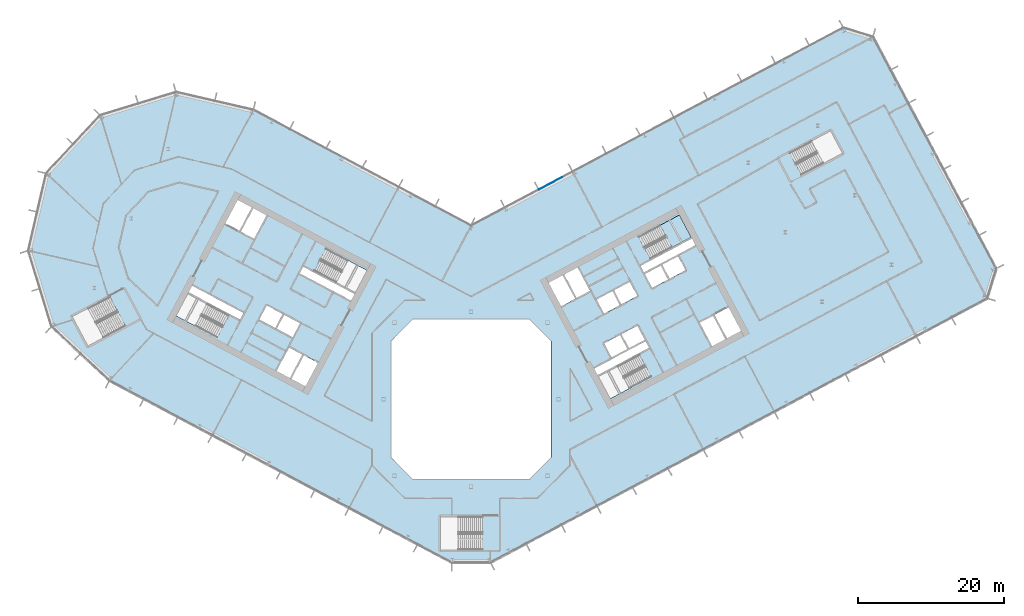
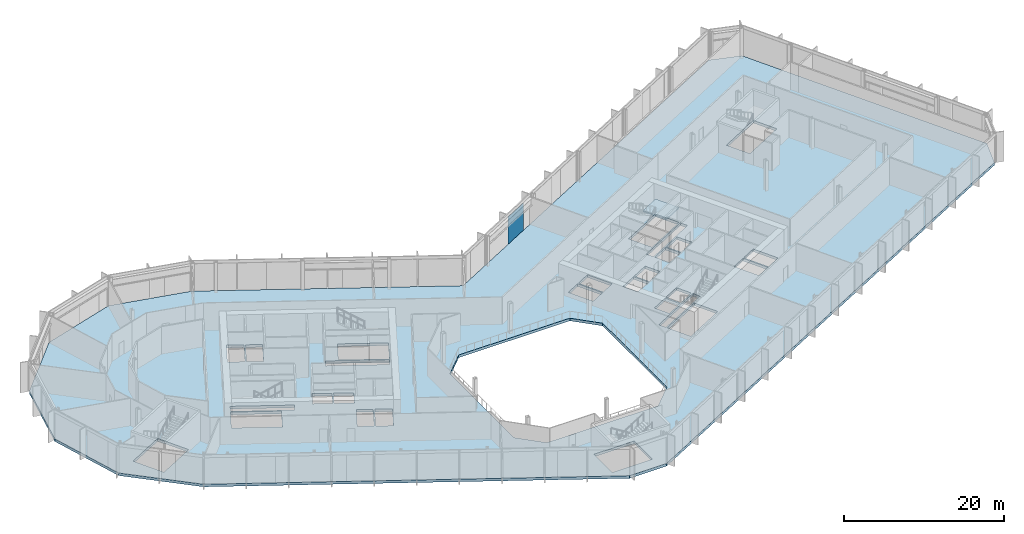
# One storey, part 12 of 30: 2 slabs, 1 plate, 2 elements without a shape of their own.
"""IFC4 building model written with IfcOpenShell, lengths in metres."""

from ifc_helpers import new_model, si_unit, direction, frame, origin, origin_2d, place, context, subcontext, project, spatial, polyline, rectangle, outline, extrude, material, layer, layer_set, type_object, element, aggregate, save


model = new_model("IFC4")

# Units and contexts
model_context = context("Model", 3, precision=1e-05, world=origin(), true_north=direction((0.0, 1.0)))
body_context = subcontext(model_context, "Body", "Model", "MODEL_VIEW")
ifc_project = project(units=[si_unit("LENGTHUNIT", "METRE"), si_unit("AREAUNIT", "SQUARE_METRE"), si_unit("VOLUMEUNIT", "CUBIC_METRE"), si_unit("PLANEANGLEUNIT", "RADIAN"), si_unit("MASSUNIT", "GRAM", prefix="KILO")], contexts=[model_context])

# Site, building, storey
site_placement = place(None, origin())
site = spatial("IfcSite", under=ifc_project, at=site_placement, CompositionType="ELEMENT")
building_placement = place(site_placement, origin())
building = spatial("IfcBuilding", under=site, at=building_placement, Name="Cormorant Relay Tower", CompositionType="ELEMENT")
storey_placement = place(building_placement, frame((0.0, 0.0, 84.60009765625)))
storey = spatial("IfcBuildingStorey", under=building, at=storey_placement, Name="L16", CompositionType="ELEMENT", Elevation=84.60009765625)

# Curtain wall, plate
ifc_material_1 = material(Name="Aluminium 6063-T6 anodised bronze", Category="aluminium")
ifc_layer_1 = layer(ifc_material_1, 0.199951171875)
ifc_layer_set_1 = layer_set([ifc_layer_1], Name="CW1 unitised bronze curtain wall with vertical fins")
curtain_wall_type = type_object("IfcCurtainWallType", Name="CW1 unitised bronze curtain wall with vertical fins", PredefinedType="NOTDEFINED", material=ifc_layer_set_1)
curtain_wall_placement = place(storey_placement, origin())
curtain_wall = element("IfcCurtainWall", 1, at=curtain_wall_placement, inside=storey, type_object=curtain_wall_type, Name="CW1 curtain wall 6", PredefinedType="NOTDEFINED")
ifc_material_2 = material(Name="Tinted laminated glass", Category="glass")
ifc_layer_2 = layer(ifc_material_2, 0.0400390625)
ifc_layer_set_2 = layer_set([ifc_layer_2], Name="CW1 tinted vision panel 3600 module")
plate_type = type_object("IfcPlateType", Name="CW1 tinted vision panel 3600 module", PredefinedType="CURTAIN_PANEL", material=ifc_layer_set_2)
plate_placement = place(storey_placement, frame((10.9306640625, 29.618408203125, 0.0), z_axis=(0.0, 0.0, 1.0), x_axis=(-0.882947592859, -0.469471562786, 0.0)))
plate = element("IfcPlate", 2, at=plate_placement, type_object=plate_type, Name="CW1 panel V08", PredefinedType="CURTAIN_PANEL", context=body_context, shape_type="SweptSolid", body=[
    extrude(rectangle(XDim=3.60009765625, YDim=0.0400390625, at=origin_2d()), origin(), (0.0, 0.0, 1.0), 4.14990234375),
])
aggregate(curtain_wall, [plate])

# Stair, slab
ifc_material_3 = material(Name="Concrete 40 MPa", Category="concrete")
stair_type = type_object("IfcStairType", Name="Exit stair 1500", PredefinedType="HALF_TURN_STAIR", material=ifc_material_3)
stair_placement = place(storey_placement, origin())
stair = element("IfcStair", 3, at=stair_placement, inside=storey, type_object=stair_type, Name="L16 Stair", PredefinedType="HALF_TURN_STAIR")
ifc_material_4 = material(Name="Concrete 40 MPa", Category="concrete")
ifc_layer_3 = layer(ifc_material_4, 0.199951171875)
ifc_layer_set_3 = layer_set([ifc_layer_3], Name="Exit stair landing 200")
slab_type_1 = type_object("IfcSlabType", Name="Exit stair landing 200", PredefinedType="LANDING", material=ifc_layer_set_3)
slab_1_placement = place(storey_placement, frame((0.0, 0.0, 2.099853515625)))
slab_1 = element("IfcSlab", 4, at=slab_1_placement, type_object=slab_type_1, Name="B2 landing 1", PredefinedType="LANDING", context=body_context, shape_type="SweptSolid", body=[
    extrude(outline(polyline([(27.558837890625, 20.82568359375), (30.19873046875, 22.2294921875), (28.5791015625, 25.275634765625), (25.93896484375, 23.871826171875), (27.558837890625, 20.82568359375)])), origin(), (0.0, 0.0, 1.0), 0.199951171875),
])
aggregate(stair, [slab_1])

# Slab
ifc_material_5 = material(Name="Concrete 40 MPa", Category="concrete")
ifc_layer_4 = layer(ifc_material_5, 0.39990234375)
ifc_layer_set_4 = layer_set([ifc_layer_4], Name="Flat plate 400")
slab_type_2 = type_object("IfcSlabType", Name="Flat plate 400", PredefinedType="FLOOR", material=ifc_layer_set_4)
slab_2_placement = place(storey_placement, frame((0.0, 0.0, -0.400146484375)))
element("IfcSlab", 5, at=slab_2_placement, inside=storey, type_object=slab_type_2, Name="Floor slab L16", PredefinedType="FLOOR", context=body_context, shape_type="SweptSolid", body=[
    extrude(outline(polyline([(-60.7197265625, 20.393310546875), (-58.2744140625, 30.985107421875), (-50.86083984375, 38.935302734375), (-40.465576171875, 42.11328125), (-29.873779296875, 39.668212890625), (0.0, 23.783935546875), (51.064453125, 50.935302734375), (55.12158203125, 49.695068359375), (72.022705078125, 17.908935546875), (70.7822265625, 13.8515625), (2.648681640625, -22.37548828125), (-2.648681640625, -22.37548828125), (-49.591552734375, 2.584228515625), (-57.541748046875, 9.997802734375), (-60.7197265625, 20.393310546875)]), holes=[polyline([(11.0, -8.0), (11.0, 8.0), (8.0, 11.0), (-8.0, 11.0), (-11.0, 8.0), (-11.0, -8.0), (-8.0, -11.0), (8.0, -11.0), (11.0, -8.0)]), polyline([(-4.199951171875, -16.125), (-4.199951171875, -20.675048828125), (1.60009765625, -20.675048828125), (1.60009765625, -16.125), (-4.199951171875, -16.125)]), polyline([(-22.95458984375, 6.03271484375), (-24.668212890625, 2.81005859375), (-22.725830078125, 1.777099609375), (-21.01220703125, 5.0), (-23.04296875, 6.07958984375), (-22.95458984375, 6.03271484375)]), polyline([(-24.985595703125, 7.112548828125), (-26.69921875, 3.889892578125), (-24.844970703125, 2.90380859375), (-23.13134765625, 6.126708984375), (-23.04296875, 6.07958984375), (-24.985595703125, 7.112548828125)]), polyline([(-26.688720703125, 9.660400390625), (-24.481201171875, 8.48681640625), (-23.448486328125, 10.42919921875), (-25.656005859375, 11.602783203125), (-26.688720703125, 9.660400390625)]), polyline([(-49.57861328125, 14.0537109375), (-54.69970703125, 11.330810546875), (-52.563720703125, 7.3134765625), (-47.442626953125, 10.036376953125), (-49.57861328125, 14.0537109375)]), polyline([(-29.07275390625, 10.927978515625), (-26.865234375, 9.75439453125), (-25.83251953125, 11.69677734375), (-28.039794921875, 12.870361328125), (-29.07275390625, 10.927978515625)]), polyline([(-38.847900390625, 14.483154296875), (-40.46728515625, 11.43701171875), (-34.860595703125, 8.455810546875), (-33.240966796875, 11.502197265625), (-38.847900390625, 14.483154296875)]), polyline([(-38.260986328125, 15.5869140625), (-38.75390625, 14.659912109375), (-31.690185546875, 10.904052734375), (-31.197265625, 11.8310546875), (-38.260986328125, 15.5869140625)]), polyline([(14.3056640625, 13.779052734375), (12.592041015625, 17.001708984375), (10.649658203125, 15.968994140625), (12.36328125, 12.74609375), (14.39404296875, 13.825927734375), (14.3056640625, 13.779052734375)]), polyline([(16.33642578125, 14.85888671875), (14.622802734375, 18.08154296875), (12.768798828125, 17.095703125), (14.482421875, 13.872802734375), (14.39404296875, 13.825927734375), (16.33642578125, 14.85888671875)]), polyline([(-16.481689453125, 13.520263671875), (-15.989013671875, 14.447509765625), (-23.052490234375, 18.203125), (-23.54541015625, 17.276123046875), (-16.481689453125, 13.520263671875)]), polyline([(-21.501708984375, 17.605224609375), (-15.89501953125, 14.6240234375), (-14.275390625, 17.670166015625), (-19.882080078125, 20.6513671875), (-21.501708984375, 17.605224609375)]), polyline([(-31.611572265625, 22.980712890625), (-29.75732421875, 21.99462890625), (-28.043701171875, 25.217529296875), (-29.89794921875, 26.203369140625), (-31.611572265625, 22.980712890625)]), polyline([(-33.73046875, 24.107421875), (-31.7880859375, 23.074462890625), (-30.074462890625, 26.29736328125), (-32.01708984375, 27.330078125), (-33.73046875, 24.107421875)]), polyline([(23.087158203125, 6.10302734375), (17.48046875, 3.1220703125), (19.10009765625, 0.07568359375), (24.706787109375, 3.056884765625), (23.087158203125, 6.10302734375)]), polyline([(16.8935546875, 4.2255859375), (17.386474609375, 3.298583984375), (24.4501953125, 7.054443359375), (23.957275390625, 7.9814453125), (16.8935546875, 4.2255859375)]), polyline([(20.446533203125, 8.8330078125), (18.239013671875, 7.6591796875), (19.27197265625, 5.716796875), (21.479248046875, 6.890380859375), (20.446533203125, 8.8330078125)]), polyline([(22.830322265625, 10.1005859375), (20.623046875, 8.927001953125), (21.656005859375, 6.984375), (23.86328125, 8.158203125), (22.830322265625, 10.1005859375)]), polyline([(33.197021484375, 11.478515625), (31.3427734375, 10.49267578125), (33.056396484375, 7.27001953125), (34.910400390625, 8.255859375), (33.197021484375, 11.478515625)]), polyline([(33.37353515625, 11.572509765625), (35.087158203125, 8.349609375), (37.029541015625, 9.382568359375), (35.31591796875, 12.605224609375), (33.37353515625, 11.572509765625)]), polyline([(17.19384765625, 13.67236328125), (18.2265625, 11.72998046875), (20.43408203125, 12.903564453125), (19.401123046875, 14.84619140625), (17.19384765625, 13.67236328125)]), polyline([(21.78515625, 16.113525390625), (19.57763671875, 14.93994140625), (20.610595703125, 12.99755859375), (22.81787109375, 14.171142578125), (21.78515625, 16.113525390625)]), polyline([(26.023193359375, 18.3671875), (23.81591796875, 17.193359375), (24.8486328125, 15.2509765625), (27.05615234375, 16.424560546875), (26.023193359375, 18.3671875)]), polyline([(29.440185546875, 17.692138671875), (28.4072265625, 19.634765625), (26.19970703125, 18.4609375), (27.232666015625, 16.5185546875), (29.440185546875, 17.692138671875)]), polyline([(30.78564453125, 21.125732421875), (30.29248046875, 22.052978515625), (23.22900390625, 18.297119140625), (23.721923828125, 17.3701171875), (30.78564453125, 21.125732421875)]), polyline([(24.592041015625, 19.248291015625), (30.19873046875, 22.2294921875), (28.5791015625, 25.275634765625), (22.972412109375, 22.29443359375), (24.592041015625, 19.248291015625)]), polyline([(45.3349609375, 30.773681640625), (50.941650390625, 33.7548828125), (49.322021484375, 36.801025390625), (43.715087890625, 33.81982421875), (45.3349609375, 30.773681640625)])]), origin(), (0.0, 0.0, 1.0), 0.400146484375),
])

save(model, "model.ifc")
